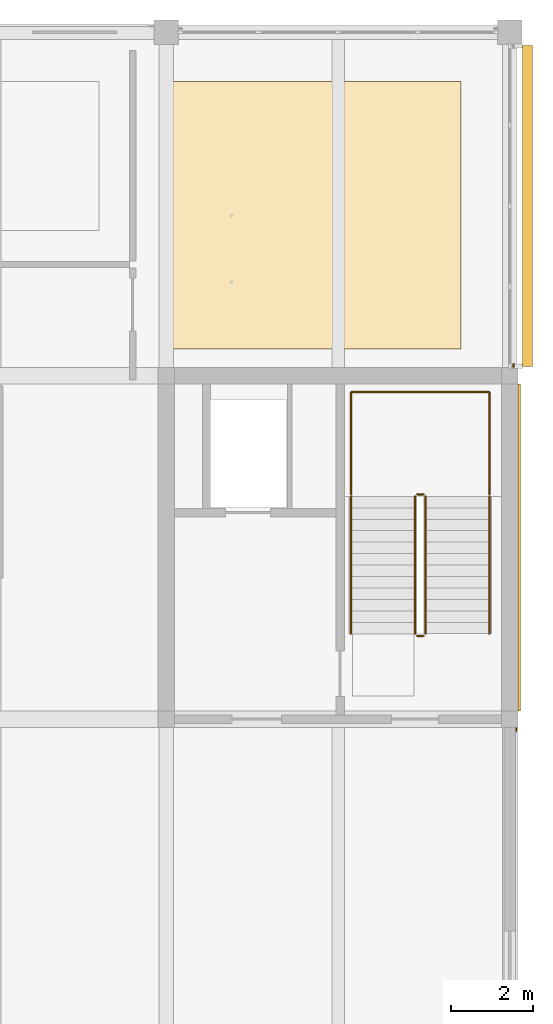
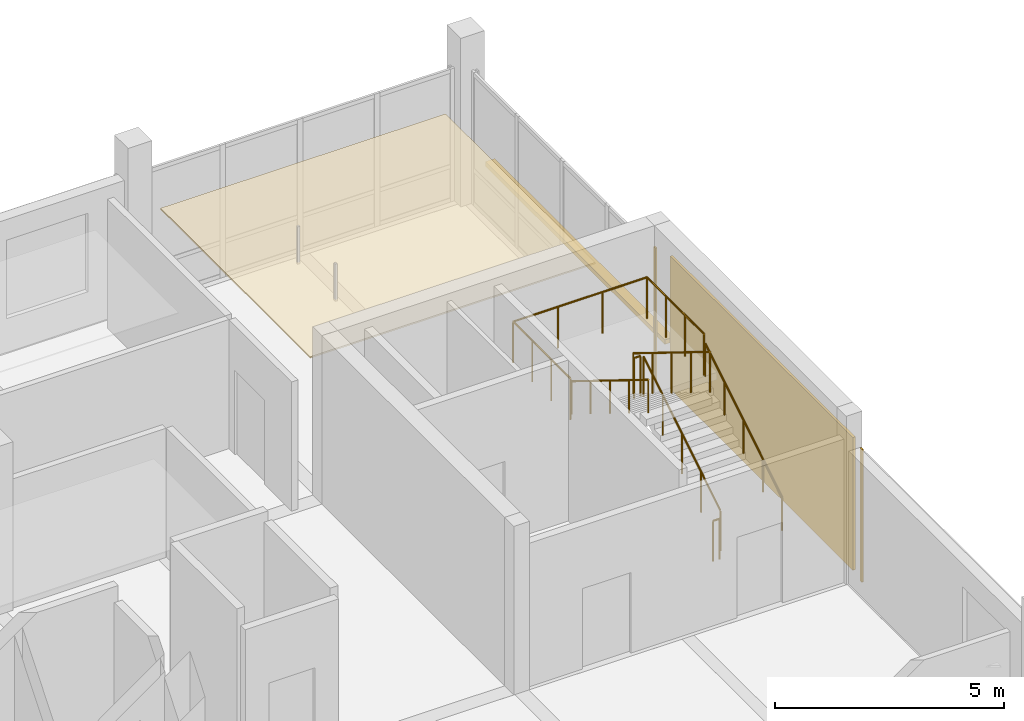
# One storey, part 27 of 29: 7 railings, 4 coverings, 1 shading device.
"""IFC4 building model written with IfcOpenShell, lengths in metres."""

from ifc_helpers import new_model, si_unit, direction, frame, origin, origin_2d, place, context, subcontext, project, spatial, polyline, rectangle, circle, outline, extrude, material, layer, layer_set, type_object, element, save


model = new_model("IFC4")

# Units and contexts
model_context = context("Model", 3, precision=1e-05, world=origin(), true_north=direction((0.0, 1.0)))
body_context = subcontext(model_context, "Body", "Model", "MODEL_VIEW")
ifc_project = project(units=[si_unit("LENGTHUNIT", "METRE"), si_unit("AREAUNIT", "SQUARE_METRE"), si_unit("VOLUMEUNIT", "CUBIC_METRE"), si_unit("PLANEANGLEUNIT", "RADIAN"), si_unit("MASSUNIT", "GRAM", prefix="KILO")], contexts=[model_context])

# Site, building, storey
site_placement = place(None, origin())
site = spatial("IfcSite", under=ifc_project, at=site_placement, CompositionType="ELEMENT")
building_placement = place(site_placement, origin())
building = spatial("IfcBuilding", under=site, at=building_placement, Name="Telukmera Botanical Conservatory", CompositionType="ELEMENT")
storey_placement = place(building_placement, frame((0.0, 0.0, 55.5)))
storey = spatial("IfcBuildingStorey", under=building, at=storey_placement, Name="L12", CompositionType="ELEMENT", Elevation=55.5)

# Coverings
ifc_material_1 = material(Name="Perforated gypsum acoustic ceiling")
ifc_layer_1 = layer(ifc_material_1, 0.0400390625)
ifc_layer_set_1 = layer_set([ifc_layer_1], Name="Perforated gypsum acoustic ceiling")
covering_type_1 = type_object("IfcCoveringType", Name="COV-CEIL-40", PredefinedType="CEILING", material=ifc_layer_set_1)
covering_1_placement = place(storey_placement, frame((0.0, 0.0, 3.31005859375)))
element("IfcCovering", 1, at=covering_1_placement, inside=storey, type_object=covering_type_1, Name="L12 Microscopy Fellows Seminar Room Suspended Acoustic Ceiling", PredefinedType="CEILING", context=body_context, shape_type="SweptSolid", body=[
    extrude(outline(polyline([(92.39990234375, 35.050048828125), (99.60009765625, 35.050048828125), (99.60009765625, 41.60009765625), (92.39990234375, 41.60009765625), (92.39990234375, 35.050048828125)])), origin(), (0.0, 0.0, 1.0), 0.0400390625),
])
ifc_material_2 = material(Name="Granite-faced precast concrete C40/50", Category="masonry")
ifc_layer_2 = layer(ifc_material_2, 0.0400390625)
ifc_layer_set_2 = layer_set([ifc_layer_2], Name="Granite-faced precast concrete C40/50")
covering_type_2 = type_object("IfcCoveringType", Name="Granite Precast Column Pier Reveal Casing", PredefinedType="CLADDING", material=ifc_layer_set_2)
for number, where, z_axis, x_axis, name in (
    (2, (100.9599609375, 25.748046875, 0.0), (0.0, 0.0, 1.0), (0.0, 1.0, 0.0), "Granite Pier Reveal V4:L12:E2 R"),
    (3, (100.889892578125, 34.652099609375, 0.0), (0.0, 0.0, 1.0), (0.0, 1.0, 0.0), "Granite Pier Reveal V4:L12:E4 L"),
):
    element("IfcCovering", number, at=place(storey_placement, frame(where, z_axis=z_axis, x_axis=x_axis)), inside=storey, type_object=covering_type_2, Name=name, PredefinedType="CLADDING", context=body_context, shape_type="SweptSolid", body=[
        extrude(rectangle(XDim=0.080078125, YDim=0.0400390625, at=origin_2d()), origin(), (0.0, 0.0, 1.0), 3.550048828125),
    ])

# Shading device
ifc_material_3 = material(Name="Perforated terracotta-anodised aluminium 6063-T6", Category="masonry")
ifc_layer_3 = layer(ifc_material_3, 0.044921875)
ifc_layer_set_3 = layer_set([ifc_layer_3], Name="Perforated terracotta-anodised aluminium 6063-T6")
shading_device_type = type_object("IfcShadingDeviceType", Name="Perforated Terracotta Aluminium Monsoon Brise Soleil", PredefinedType="JALOUSIE", material=ifc_layer_set_3)
shading_device_placement = place(storey_placement, frame((101.22998046875, 38.550048828125, 0.889892578125), z_axis=(0.0, 0.0, 1.0), x_axis=(0.0, 1.0, 0.0)))
element("IfcShadingDevice", 4, at=shading_device_placement, inside=storey, type_object=shading_device_type, Name="Monsoon Shading BS01 V4:L12:E4", PredefinedType="JALOUSIE", context=body_context, shape_type="SweptSolid", body=[
    extrude(rectangle(XDim=7.85595703125, YDim=0.239990234375, at=origin_2d()), origin(), (0.0, 0.0, 1.0), 0.1201171875),
])

# Railings
ifc_material_4 = material(Name="Steel S355", Category="steel")
railing_type_1 = type_object("IfcRailingType", Name="RL-GUARD-1100", PredefinedType="GUARDRAIL", material=ifc_material_4)
railing_1_placement = place(storey_placement, frame((98.739990234375, 28.090087890625, 0.173095703125)))
element("IfcRailing", 5, at=railing_1_placement, inside=storey, type_object=railing_type_1, Name="L12 ST2 stair guard 1", PredefinedType="GUARDRAIL", context=body_context, shape_type="SweptSolid", body=[
    extrude(circle(Radius=0.02392578125, at=origin_2d()), frame((0.0, 0.0, 1.076171875), z_axis=(0.0, 0.850606129759, 0.525803396734), x_axis=(-1.0, 0.0, 0.0)), (0.0, 0.0, 1.0), 3.949951171875),
    extrude(circle(Radius=0.02099609375, at=origin_2d()), origin(), (0.0, 0.0, 1.0), 1.052001953125),
    extrude(circle(Radius=0.02099609375, at=origin_2d()), frame((0.0, 0.83984375, 0.519287109375)), (0.0, 0.0, 1.0), 1.052001953125),
    extrude(circle(Radius=0.02099609375, at=origin_2d()), frame((0.0, 1.679931640625, 1.03857421875)), (0.0, 0.0, 1.0), 1.052001953125),
    extrude(circle(Radius=0.02099609375, at=origin_2d()), frame((0.0, 2.52001953125, 1.5576171875)), (0.0, 0.0, 1.0), 1.052001953125),
    extrude(circle(Radius=0.02099609375, at=origin_2d()), frame((0.0, 3.35986328125, 2.076904296875)), (0.0, 0.0, 1.0), 1.052001953125),
])
railing_2_placement = place(storey_placement, frame((98.68994140625, 31.5, 2.25)))
element("IfcRailing", 6, at=railing_2_placement, inside=storey, type_object=railing_type_1, Name="L12 ST2 stair guard 2", PredefinedType="GUARDRAIL", context=body_context, shape_type="SweptSolid", body=[
    extrude(circle(Radius=0.02392578125, at=origin_2d()), frame((0.0, 0.0, 1.076171875), z_axis=(-1.0, 0.0, 0.0), x_axis=(0.0, -1.0, 0.0)), (0.0, 0.0, 1.0), 0.159912109375),
    extrude(circle(Radius=0.02099609375, at=origin_2d()), origin(), (0.0, 0.0, 1.0), 1.052001953125),
    extrude(circle(Radius=0.02099609375, at=origin_2d()), frame((-0.159912109375, 0.0, 0.0)), (0.0, 0.0, 1.0), 1.052001953125),
])
railing_3_placement = place(storey_placement, frame((98.47998046875, 31.449951171875, 2.423095703125)))
element("IfcRailing", 7, at=railing_3_placement, inside=storey, type_object=railing_type_1, Name="L12 ST2 stair guard 3", PredefinedType="GUARDRAIL", context=body_context, shape_type="SweptSolid", body=[
    extrude(circle(Radius=0.02392578125, at=origin_2d()), frame((0.0, 0.0, 1.076171875), z_axis=(0.0, -0.850606129759, 0.525803396734), x_axis=(1.0, 0.0, 0.0)), (0.0, 0.0, 1.0), 3.949951171875),
    extrude(circle(Radius=0.02099609375, at=origin_2d()), origin(), (0.0, 0.0, 1.0), 1.052001953125),
    extrude(circle(Radius=0.02099609375, at=origin_2d()), frame((0.0, -0.83984375, 0.519287109375)), (0.0, 0.0, 1.0), 1.052001953125),
    extrude(circle(Radius=0.02099609375, at=origin_2d()), frame((0.0, -1.679931640625, 1.03857421875)), (0.0, 0.0, 1.0), 1.052001953125),
    extrude(circle(Radius=0.02099609375, at=origin_2d()), frame((0.0, -2.52001953125, 1.5576171875)), (0.0, 0.0, 1.0), 1.052001953125),
    extrude(circle(Radius=0.02099609375, at=origin_2d()), frame((0.0, -3.35986328125, 2.076904296875)), (0.0, 0.0, 1.0), 1.052001953125),
])
railing_4_placement = place(storey_placement, frame((98.68994140625, 28.0400390625, 0.0)))
element("IfcRailing", 8, at=railing_4_placement, inside=storey, type_object=railing_type_1, Name="L12 ST2 stair guard 4", PredefinedType="GUARDRAIL", context=body_context, shape_type="SweptSolid", body=[
    extrude(circle(Radius=0.02392578125, at=origin_2d()), frame((0.0, 0.0, 1.076171875), z_axis=(-1.0, 0.0, 0.0), x_axis=(0.0, -1.0, 0.0)), (0.0, 0.0, 1.0), 0.159912109375),
    extrude(circle(Radius=0.02099609375, at=origin_2d()), origin(), (0.0, 0.0, 1.0), 1.052001953125),
    extrude(circle(Radius=0.02099609375, at=origin_2d()), frame((-0.159912109375, 0.0, 0.0)), (0.0, 0.0, 1.0), 1.052001953125),
])
railing_5_placement = place(storey_placement, frame((100.300048828125, 31.5, 2.25)))
element("IfcRailing", 9, at=railing_5_placement, inside=storey, type_object=railing_type_1, Name="L12 ST2 half-landing perimeter guard 1", PredefinedType="GUARDRAIL", context=body_context, shape_type="SweptSolid", body=[
    extrude(circle(Radius=0.02392578125, at=origin_2d()), frame((0.0, 0.0, 1.09619140625), z_axis=(0.0, 1.0, 0.0), x_axis=(-1.0, 0.0, 0.0)), (0.0, 0.0, 1.0), 2.5),
    extrude(circle(Radius=0.02392578125, at=origin_2d()), frame((0.0, 2.5, 1.09619140625), z_axis=(-1.0, 0.0, 0.0), x_axis=(0.0, -1.0, 0.0)), (0.0, 0.0, 1.0), 3.380126953125),
    extrude(circle(Radius=0.02392578125, at=origin_2d()), frame((-3.380126953125, 2.5, 1.09619140625), z_axis=(0.0, -1.0, 0.0), x_axis=(1.0, 0.0, 0.0)), (0.0, 0.0, 1.0), 2.5),
    extrude(circle(Radius=0.02099609375, at=origin_2d()), origin(), (0.0, 0.0, 1.0), 1.072021484375),
    extrude(circle(Radius=0.02099609375, at=origin_2d()), frame((0.0, 0.833251953125, 0.0)), (0.0, 0.0, 1.0), 1.072021484375),
    extrude(circle(Radius=0.02099609375, at=origin_2d()), frame((0.0, 1.666748046875, 0.0)), (0.0, 0.0, 1.0), 1.072021484375),
    extrude(circle(Radius=0.02099609375, at=origin_2d()), frame((0.0, 2.5, 0.0)), (0.0, 0.0, 1.0), 1.072021484375),
    extrude(circle(Radius=0.02099609375, at=origin_2d()), frame((-1.126708984375, 2.5, 0.0)), (0.0, 0.0, 1.0), 1.072021484375),
    extrude(circle(Radius=0.02099609375, at=origin_2d()), frame((-2.25341796875, 2.5, 0.0)), (0.0, 0.0, 1.0), 1.072021484375),
    extrude(circle(Radius=0.02099609375, at=origin_2d()), frame((-3.380126953125, 2.5, 0.0)), (0.0, 0.0, 1.0), 1.072021484375),
    extrude(circle(Radius=0.02099609375, at=origin_2d()), frame((-3.380126953125, 1.666748046875, 0.0)), (0.0, 0.0, 1.0), 1.072021484375),
    extrude(circle(Radius=0.02099609375, at=origin_2d()), frame((-3.380126953125, 0.833251953125, 0.0)), (0.0, 0.0, 1.0), 1.072021484375),
    extrude(circle(Radius=0.02099609375, at=origin_2d()), frame((-3.380126953125, 0.0, 0.0)), (0.0, 0.0, 1.0), 1.072021484375),
])
ifc_material_5 = material(Name="Stainless steel 316", Category="steel")
railing_type_2 = type_object("IfcRailingType", Name="RL-HAND-900", PredefinedType="HANDRAIL", material=ifc_material_5)
railing_6_placement = place(storey_placement, frame((100.300048828125, 28.090087890625, 0.173095703125)))
element("IfcRailing", 10, at=railing_6_placement, inside=storey, type_object=railing_type_2, Name="L12 ST2 stair handrail 1", PredefinedType="HANDRAIL", context=body_context, shape_type="SweptSolid", body=[
    extrude(circle(Radius=0.02392578125, at=origin_2d()), frame((0.0, 0.0, 0.8759765625), z_axis=(0.0, 0.850606129759, 0.525803396734), x_axis=(-1.0, 0.0, 0.0)), (0.0, 0.0, 1.0), 3.949951171875),
    extrude(circle(Radius=0.02099609375, at=origin_2d()), origin(), (0.0, 0.0, 1.0), 0.851806640625),
    extrude(circle(Radius=0.02099609375, at=origin_2d()), frame((0.0, 0.83984375, 0.519287109375)), (0.0, 0.0, 1.0), 0.851806640625),
    extrude(circle(Radius=0.02099609375, at=origin_2d()), frame((0.0, 1.679931640625, 1.03857421875)), (0.0, 0.0, 1.0), 0.851806640625),
    extrude(circle(Radius=0.02099609375, at=origin_2d()), frame((0.0, 2.52001953125, 1.5576171875)), (0.0, 0.0, 1.0), 0.851806640625),
    extrude(circle(Radius=0.02099609375, at=origin_2d()), frame((0.0, 3.35986328125, 2.076904296875)), (0.0, 0.0, 1.0), 0.851806640625),
])
railing_7_placement = place(storey_placement, frame((96.919921875, 31.449951171875, 2.423095703125)))
element("IfcRailing", 11, at=railing_7_placement, inside=storey, type_object=railing_type_2, Name="L12 ST2 stair handrail 2", PredefinedType="HANDRAIL", context=body_context, shape_type="SweptSolid", body=[
    extrude(circle(Radius=0.02392578125, at=origin_2d()), frame((0.0, 0.0, 0.8759765625), z_axis=(0.0, -0.850606129759, 0.525803396734), x_axis=(1.0, 0.0, 0.0)), (0.0, 0.0, 1.0), 3.949951171875),
    extrude(circle(Radius=0.02099609375, at=origin_2d()), origin(), (0.0, 0.0, 1.0), 0.851806640625),
    extrude(circle(Radius=0.02099609375, at=origin_2d()), frame((0.0, -0.83984375, 0.519287109375)), (0.0, 0.0, 1.0), 0.851806640625),
    extrude(circle(Radius=0.02099609375, at=origin_2d()), frame((0.0, -1.679931640625, 1.03857421875)), (0.0, 0.0, 1.0), 0.851806640625),
    extrude(circle(Radius=0.02099609375, at=origin_2d()), frame((0.0, -2.52001953125, 1.5576171875)), (0.0, 0.0, 1.0), 0.851806640625),
    extrude(circle(Radius=0.02099609375, at=origin_2d()), frame((0.0, -3.35986328125, 2.076904296875)), (0.0, 0.0, 1.0), 0.851806640625),
])

# Covering
ifc_material_6 = material(Name="Terracotta-faced precast concrete C40/50", Category="masonry")
ifc_layer_4 = layer(ifc_material_6, 0.06005859375)
ifc_layer_set_4 = layer_set([ifc_layer_4], Name="Terracotta-faced precast concrete C40/50")
covering_type_3 = type_object("IfcCoveringType", Name="Terracotta Core Perimeter Cladding Panel", PredefinedType="CLADDING", material=ifc_layer_set_4)
covering_2_placement = place(storey_placement, frame((101.030029296875, 30.199951171875, 0.0), z_axis=(0.0, 0.0, 1.0), x_axis=(0.0, 1.0, 0.0)))
element("IfcCovering", 12, at=covering_2_placement, inside=storey, type_object=covering_type_3, Name="Core Perimeter Terracotta Cladding V4:L12:E3", PredefinedType="CLADDING", context=body_context, shape_type="SweptSolid", body=[
    extrude(rectangle(XDim=7.99609375, YDim=0.06005859375, at=origin_2d()), origin(), (0.0, 0.0, 1.0), 3.550048828125),
])

save(model, "model.ifc")
